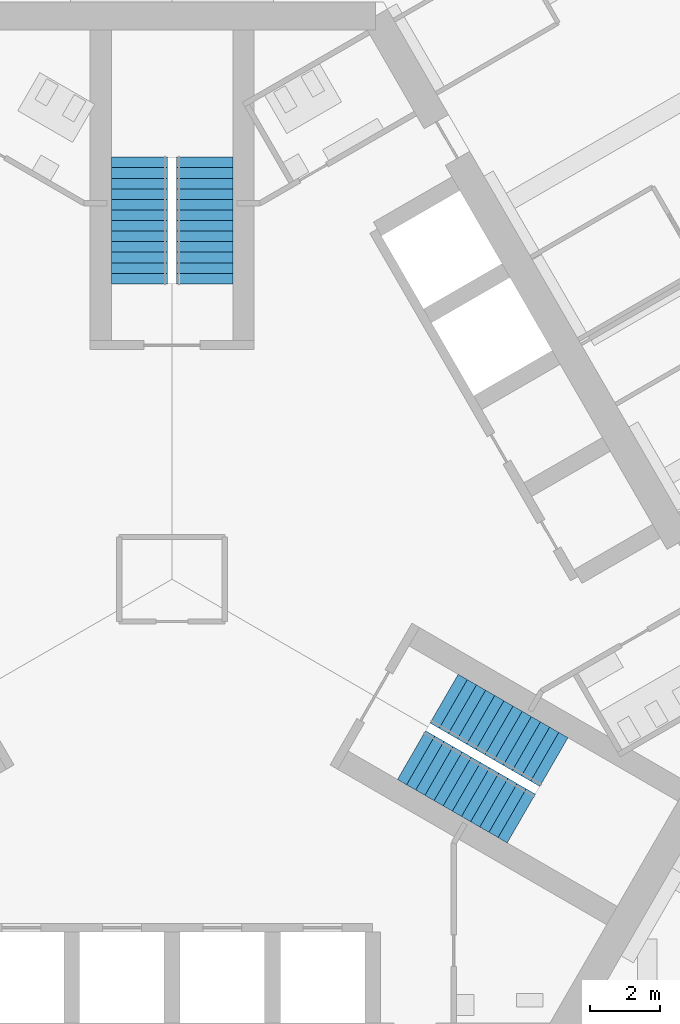
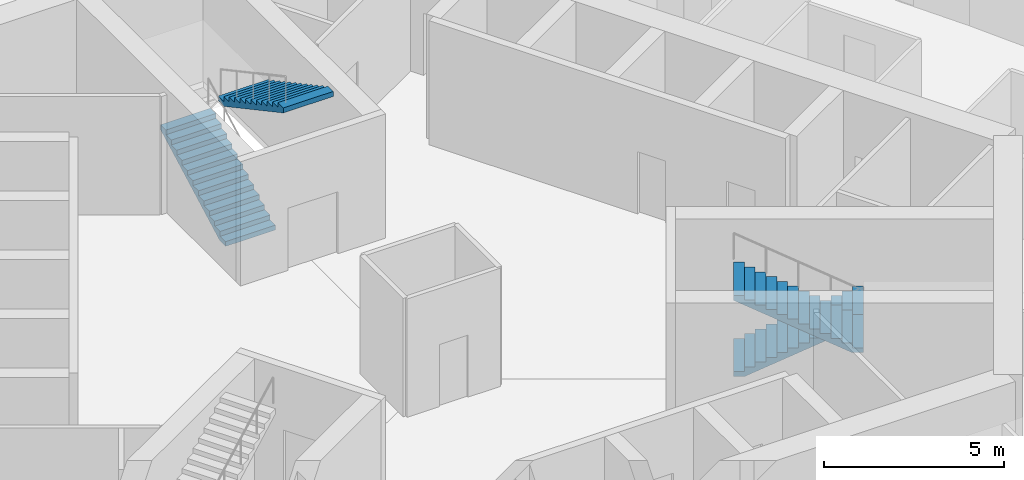
# One storey, part 14 of 19: 4 stair flights, 2 elements without a shape of their own.
"""IFC4 building model written with IfcOpenShell, lengths in metres."""

from ifc_helpers import new_model, si_unit, direction, frame, origin, place, context, subcontext, project, spatial, polyline, outline, extrude, material, type_object, element, aggregate, save


model = new_model("IFC4")

# Units and contexts
model_context = context("Model", 3, precision=1e-05, world=origin(), true_north=direction((0.0, 1.0)))
body_context = subcontext(model_context, "Body", "Model", "MODEL_VIEW")
ifc_project = project(units=[si_unit("LENGTHUNIT", "METRE"), si_unit("AREAUNIT", "SQUARE_METRE"), si_unit("VOLUMEUNIT", "CUBIC_METRE"), si_unit("PLANEANGLEUNIT", "RADIAN"), si_unit("MASSUNIT", "GRAM", prefix="KILO")], contexts=[model_context])

# Site, building, storey
site_placement = place(None, origin())
site = spatial("IfcSite", under=ifc_project, at=site_placement, CompositionType="ELEMENT")
building_placement = place(site_placement, origin())
building = spatial("IfcBuilding", under=site, at=building_placement, Name="Trefoil Bronze Tower", CompositionType="ELEMENT")
storey_placement = place(building_placement, frame((0.0, 0.0, 107.300048828125)))
storey = spatial("IfcBuildingStorey", under=building, at=storey_placement, Name="L24", CompositionType="ELEMENT", Elevation=107.300048828125)

# Stair, stair flights
ifc_material_1 = material(Name="Precast concrete B80", Category="concrete")
stair_type = type_object("IfcStairType", Name="Exit stair 26 risers", PredefinedType="HALF_TURN_STAIR", material=ifc_material_1)
stair_1_placement = place(storey_placement, origin())
stair_1 = element("IfcStair", 1, at=stair_1_placement, inside=storey, type_object=stair_type, Name="Stair ST1 L24", PredefinedType="HALF_TURN_STAIR")
ifc_material_2 = material(Name="Precast concrete B80", Category="concrete")
stair_flight_type = type_object("IfcStairFlightType", Name="Stair flight 1600", PredefinedType="STRAIGHT", material=ifc_material_2)
stair_flight_1_placement = place(storey_placement, frame((7.728515625, -3.39404296875, 0.0), z_axis=(0.0, 0.0, 1.0), x_axis=(0.866025403784, -0.5, 0.0)))
stair_flight_1 = element("IfcStairFlight", 2, at=stair_flight_1_placement, type_object=stair_flight_type, Name="ST1 flight 1", NumberOfRisers=13, NumberOfTreads=12, PredefinedType="STRAIGHT", RiserHeight=0.161538462, TreadLength=0.3, context=body_context, shape_type="SweptSolid", body=[
    extrude(outline(polyline([(0.0, 0.0), (0.0, 0.16162109375), (0.300048828125, 0.16162109375), (0.300048828125, 0.322998046875), (0.60009765625, 0.322998046875), (0.60009765625, 0.484619140625), (0.89990234375, 0.484619140625), (0.89990234375, 0.646240234375), (1.199951171875, 0.646240234375), (1.199951171875, 0.8076171875), (1.5, 0.8076171875), (1.5, 0.96923828125), (1.800048828125, 0.96923828125), (1.800048828125, 1.130859375), (2.10009765625, 1.130859375), (2.10009765625, 1.292236328125), (2.39990234375, 1.292236328125), (2.39990234375, 1.453857421875), (2.699951171875, 1.453857421875), (2.699951171875, 1.615478515625), (3.0, 1.615478515625), (3.0, 1.77685546875), (3.300048828125, 1.77685546875), (3.300048828125, 1.9384765625), (3.60009765625, 1.9384765625), (3.60009765625, 2.10009765625), (3.60009765625, 1.768310546875), (0.316162109375, 0.0), (0.0, 0.0)])), frame((0.0, 0.800048828125, 0.0), z_axis=(0.0, -1.0, 0.0), x_axis=(1.0, 0.0, 0.0)), (0.0, 0.0, 1.0), 1.60009765625),
])
stair_flight_2_placement = place(storey_placement, frame((9.921142578125, -6.796142578125, 2.099853515625), z_axis=(0.0, 0.0, 1.0), x_axis=(-0.866025403784, 0.5, 0.0)))
stair_flight_2 = element("IfcStairFlight", 3, at=stair_flight_2_placement, type_object=stair_flight_type, Name="ST1 flight 2", NumberOfRisers=13, NumberOfTreads=12, PredefinedType="STRAIGHT", RiserHeight=0.161538462, TreadLength=0.3, context=body_context, shape_type="SweptSolid", body=[
    extrude(outline(polyline([(0.0, 0.0), (0.0, 0.16162109375), (0.300048828125, 0.16162109375), (0.300048828125, 0.322998046875), (0.60009765625, 0.322998046875), (0.60009765625, 0.484619140625), (0.89990234375, 0.484619140625), (0.89990234375, 0.646240234375), (1.199951171875, 0.646240234375), (1.199951171875, 0.8076171875), (1.5, 0.8076171875), (1.5, 0.96923828125), (1.800048828125, 0.96923828125), (1.800048828125, 1.130859375), (2.10009765625, 1.130859375), (2.10009765625, 1.292236328125), (2.39990234375, 1.292236328125), (2.39990234375, 1.453857421875), (2.699951171875, 1.453857421875), (2.699951171875, 1.615478515625), (3.0, 1.615478515625), (3.0, 1.77685546875), (3.300048828125, 1.77685546875), (3.300048828125, 1.9384765625), (3.60009765625, 1.9384765625), (3.60009765625, 2.10009765625), (3.60009765625, 1.768310546875), (0.316162109375, 0.0), (0.0, 0.0)])), frame((0.0, 0.800048828125, 0.0), z_axis=(0.0, -1.0, 0.0), x_axis=(1.0, 0.0, 0.0)), (0.0, 0.0, 1.0), 1.60009765625),
])
aggregate(stair_1, [stair_flight_1, stair_flight_2])

stair_2_placement = place(storey_placement, origin())
stair_2 = element("IfcStair", 4, at=stair_2_placement, inside=storey, type_object=stair_type, Name="Stair ST2 L24", PredefinedType="HALF_TURN_STAIR")
stair_flight_3_placement = place(storey_placement, frame((-0.925048828125, 8.389892578125, 0.0), z_axis=(0.0, 0.0, 1.0), x_axis=(0.0, 1.0, 0.0)))
stair_flight_3 = element("IfcStairFlight", 5, at=stair_flight_3_placement, type_object=stair_flight_type, Name="ST2 flight 1", NumberOfRisers=13, NumberOfTreads=12, PredefinedType="STRAIGHT", RiserHeight=0.161538462, TreadLength=0.3, context=body_context, shape_type="SweptSolid", body=[
    extrude(outline(polyline([(0.0, 0.0), (0.0, 0.16162109375), (0.300048828125, 0.16162109375), (0.300048828125, 0.322998046875), (0.60009765625, 0.322998046875), (0.60009765625, 0.484619140625), (0.89990234375, 0.484619140625), (0.89990234375, 0.646240234375), (1.199951171875, 0.646240234375), (1.199951171875, 0.8076171875), (1.5, 0.8076171875), (1.5, 0.96923828125), (1.800048828125, 0.96923828125), (1.800048828125, 1.130859375), (2.10009765625, 1.130859375), (2.10009765625, 1.292236328125), (2.39990234375, 1.292236328125), (2.39990234375, 1.453857421875), (2.699951171875, 1.453857421875), (2.699951171875, 1.615478515625), (3.0, 1.615478515625), (3.0, 1.77685546875), (3.300048828125, 1.77685546875), (3.300048828125, 1.9384765625), (3.60009765625, 1.9384765625), (3.60009765625, 2.10009765625), (3.60009765625, 1.768310546875), (0.316162109375, 0.0), (0.0, 0.0)])), frame((0.0, 0.800048828125, 0.0), z_axis=(0.0, -1.0, 0.0), x_axis=(1.0, 0.0, 0.0)), (0.0, 0.0, 1.0), 1.60009765625),
])
stair_flight_4_placement = place(storey_placement, frame((0.925048828125, 11.989990234375, 2.099853515625), z_axis=(0.0, 0.0, 1.0), x_axis=(0.0, -1.0, 0.0)))
stair_flight_4 = element("IfcStairFlight", 6, at=stair_flight_4_placement, type_object=stair_flight_type, Name="ST2 flight 2", NumberOfRisers=13, NumberOfTreads=12, PredefinedType="STRAIGHT", RiserHeight=0.161538462, TreadLength=0.3, context=body_context, shape_type="SweptSolid", body=[
    extrude(outline(polyline([(0.0, 0.0), (0.0, 0.16162109375), (0.300048828125, 0.16162109375), (0.300048828125, 0.322998046875), (0.60009765625, 0.322998046875), (0.60009765625, 0.484619140625), (0.89990234375, 0.484619140625), (0.89990234375, 0.646240234375), (1.199951171875, 0.646240234375), (1.199951171875, 0.8076171875), (1.5, 0.8076171875), (1.5, 0.96923828125), (1.800048828125, 0.96923828125), (1.800048828125, 1.130859375), (2.10009765625, 1.130859375), (2.10009765625, 1.292236328125), (2.39990234375, 1.292236328125), (2.39990234375, 1.453857421875), (2.699951171875, 1.453857421875), (2.699951171875, 1.615478515625), (3.0, 1.615478515625), (3.0, 1.77685546875), (3.300048828125, 1.77685546875), (3.300048828125, 1.9384765625), (3.60009765625, 1.9384765625), (3.60009765625, 2.10009765625), (3.60009765625, 1.768310546875), (0.316162109375, 0.0), (0.0, 0.0)])), frame((0.0, 0.800048828125, 0.0), z_axis=(0.0, -1.0, 0.0), x_axis=(1.0, 0.0, 0.0)), (0.0, 0.0, 1.0), 1.60009765625),
])
aggregate(stair_2, [stair_flight_3, stair_flight_4])

save(model, "model.ifc")
